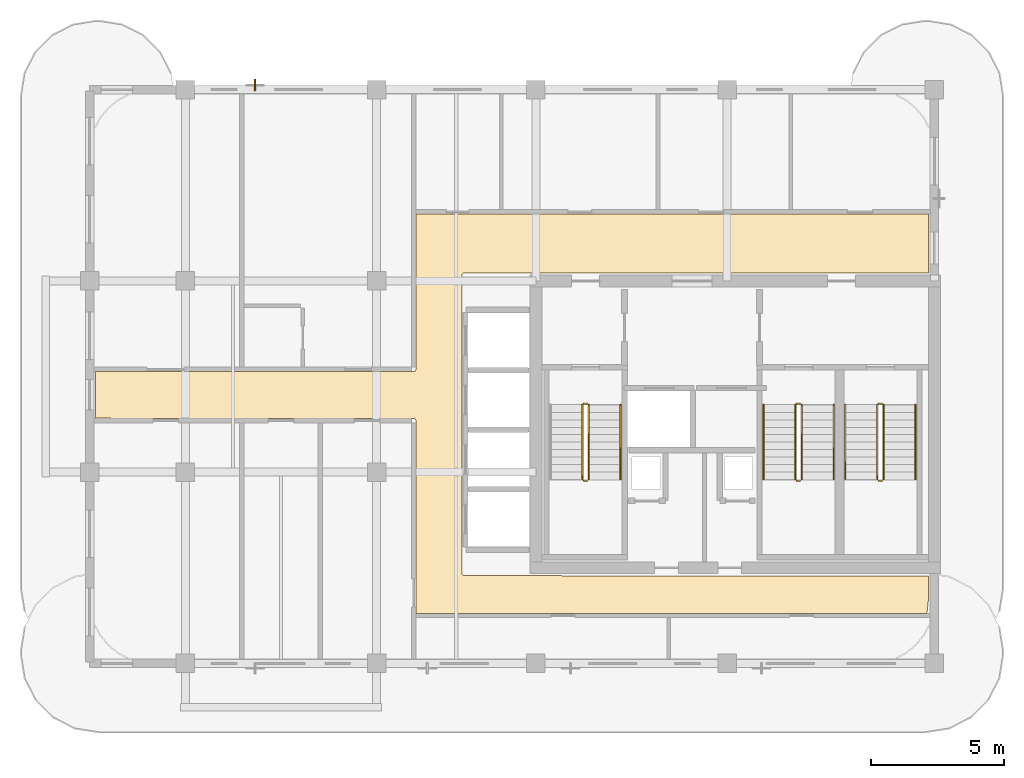
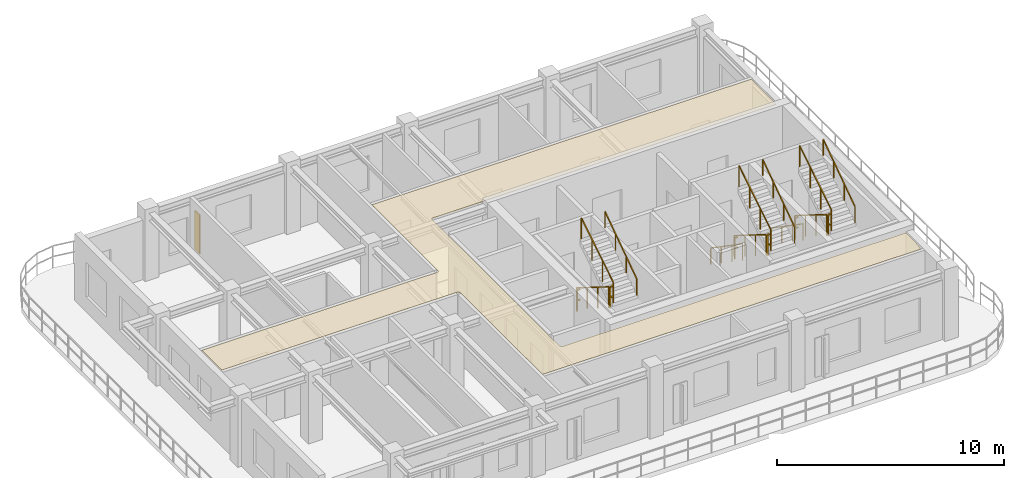
# One storey, part 7 of 8: 17 railings, 1 covering, 1 shading device.
"""IFC4 building model written with IfcOpenShell, lengths in metres."""

from ifc_helpers import new_model, si_unit, derived_unit, direction, frame, origin, origin_2d, place, context, subcontext, project, spatial, polyline, rectangle, outline, extrude, source, transform, mapped, material, layer, layer_set, type_object, type_shapes, element, save


model = new_model("IFC4")

# Units and contexts
model_context = context("Model", 3, precision=1e-05, world=origin(), true_north=direction((0.0, 1.0)))
body_context = subcontext(model_context, "Body", "Model", "MODEL_VIEW")
ifc_project = project(units=[si_unit("LENGTHUNIT", "METRE"), si_unit("AREAUNIT", "SQUARE_METRE"), si_unit("VOLUMEUNIT", "CUBIC_METRE"), si_unit("PLANEANGLEUNIT", "RADIAN"), si_unit("MASSUNIT", "GRAM", prefix="KILO"), si_unit("THERMODYNAMICTEMPERATUREUNIT", "KELVIN"), si_unit("POWERUNIT", "WATT"), derived_unit("THERMALTRANSMITTANCEUNIT", [(si_unit("POWERUNIT", "WATT"), 1), (si_unit("AREAUNIT", "SQUARE_METRE"), -1), (si_unit("THERMODYNAMICTEMPERATUREUNIT", "KELVIN"), -1)])], contexts=[model_context])

# Site, building, storey
site_placement = place(None, origin())
site = spatial("IfcSite", under=ifc_project, at=site_placement, CompositionType="ELEMENT")
building_placement = place(site_placement, origin())
building = spatial("IfcBuilding", under=site, at=building_placement, Name="Zahravan Archway Hotel and Residences", CompositionType="ELEMENT")
storey_placement = place(building_placement, frame((0.0, 0.0, 286.60009765625)))
storey = spatial("IfcBuildingStorey", under=building, at=storey_placement, Name="L72", CompositionType="ELEMENT", Elevation=286.60009765625)

# Covering
ifc_material_1 = material(Name="Perforated Acoustic Gypsum Ceiling")
ifc_layer_1 = layer(ifc_material_1, 0.02490234375, Name="Perforated Acoustic Gypsum Ceiling")
ifc_layer_set_1 = layer_set([ifc_layer_1], Name="Perforated Acoustic Gypsum Ceiling")
covering_type = type_object("IfcCoveringType", Name="COV-CEIL-ACST", PredefinedType="CEILING", material=ifc_layer_set_1)
covering_placement = place(storey_placement, frame((0.0, 0.0, 3.574951171875)))
element("IfcCovering", 1, at=covering_placement, inside=storey, type_object=covering_type, Name="L72 Acoustic Corridor Ceiling", PredefinedType="CEILING", context=body_context, shape_type="SweptSolid", body=[
    extrude(outline(polyline([(30.215576171875, 10.991455078125), (30.256591796875, 11.013427734375), (30.278564453125, 11.054443359375), (30.280029296875, 16.919921875), (49.580078125, 16.919921875), (49.580078125, 14.705078125), (32.10009765625, 14.705078125), (32.0556640625, 14.69140625), (32.026123046875, 14.655517578125), (32.02001953125, 3.375), (32.033447265625, 3.33056640625), (32.0693359375, 3.301025390625), (49.580078125, 3.294921875), (49.580078125, 2.410888671875), (49.537109375, 1.974853515625), (49.50830078125, 1.8798828125), (30.280029296875, 1.8798828125), (30.280029296875, 9.14990234375), (30.2666015625, 9.1943359375), (30.230712890625, 9.223876953125), (18.219970703125, 9.22998046875), (18.219970703125, 10.989990234375), (30.199951171875, 10.989990234375), (30.215576171875, 10.991455078125)])), origin(), (0.0, 0.0, 1.0), 0.02490234375),
])

# Railings
ifc_material_2 = material(Name="Painted Tubular Steel", Category="steel")
railing_type_1 = type_object("IfcRailingType", Name="RL-STG-1150", PredefinedType="GUARDRAIL", material=ifc_material_2)
railing_1_placement = place(storey_placement, frame((36.550048828125, 9.72998046875, 0.1748046875)))
element("IfcRailing", 2, at=railing_1_placement, inside=storey, type_object=railing_type_1, Name="L72 ST-A1 stair guard 1", PredefinedType="GUARDRAIL", context=body_context, shape_type="SweptSolid", body=[
    extrude(rectangle(XDim=0.048095703125, YDim=0.048095703125, at=origin_2d()), frame((0.0, 0.0, 1.1259765625), z_axis=(0.0, -0.848002457836, 0.529992293815), x_axis=(1.0, 0.0, 0.0)), (0.0, 0.0, 1.0), 3.302001953125),
    extrude(rectangle(XDim=0.0419921875, YDim=0.0419921875, at=origin_2d()), origin(), (0.0, 0.0, 1.0), 1.101806640625),
    extrude(rectangle(XDim=0.0419921875, YDim=0.0419921875, at=origin_2d()), frame((0.0, -0.933349609375, 0.583251953125)), (0.0, 0.0, 1.0), 1.101806640625),
    extrude(rectangle(XDim=0.0419921875, YDim=0.0419921875, at=origin_2d()), frame((0.0, -1.86669921875, 1.166748046875)), (0.0, 0.0, 1.0), 1.101806640625),
    extrude(rectangle(XDim=0.0419921875, YDim=0.0419921875, at=origin_2d()), frame((0.0, -2.800048828125, 1.75)), (0.0, 0.0, 1.0), 1.101806640625),
])
railing_2_placement = place(storey_placement, frame((36.60009765625, 6.8798828125, 1.9248046875)))
element("IfcRailing", 3, at=railing_2_placement, inside=storey, type_object=railing_type_1, Name="L72 ST-A1 stair guard 2", PredefinedType="GUARDRAIL", context=body_context, shape_type="SweptSolid", body=[
    extrude(rectangle(XDim=0.048095703125, YDim=0.048095703125, at=origin_2d()), frame((0.0, 0.0, 1.1259765625), z_axis=(1.0, 0.0, 0.0), x_axis=(0.0, 1.0, 0.0)), (0.0, 0.0, 1.0), 0.139892578125),
    extrude(rectangle(XDim=0.048095703125, YDim=0.048095703125, at=origin_2d()), frame((0.0, 0.0, 0.574951171875), z_axis=(1.0, 0.0, 0.0), x_axis=(0.0, 1.0, 0.0)), (0.0, 0.0, 1.0), 0.139892578125),
    extrude(rectangle(XDim=0.0419921875, YDim=0.0419921875, at=origin_2d()), origin(), (0.0, 0.0, 1.0), 1.101806640625),
])
railing_3_placement = place(storey_placement, frame((36.7900390625, 6.929931640625, 2.099853515625)))
element("IfcRailing", 4, at=railing_3_placement, inside=storey, type_object=railing_type_1, Name="L72 ST-A1 stair guard 3", PredefinedType="GUARDRAIL", context=body_context, shape_type="SweptSolid", body=[
    extrude(rectangle(XDim=0.048095703125, YDim=0.048095703125, at=origin_2d()), frame((0.0, 0.0, 1.1259765625), z_axis=(0.0, 0.848002457836, 0.529992293815), x_axis=(-1.0, 0.0, 0.0)), (0.0, 0.0, 1.0), 3.302001953125),
    extrude(rectangle(XDim=0.0419921875, YDim=0.0419921875, at=origin_2d()), origin(), (0.0, 0.0, 1.0), 1.101806640625),
    extrude(rectangle(XDim=0.0419921875, YDim=0.0419921875, at=origin_2d()), frame((0.0, 0.933349609375, 0.583251953125)), (0.0, 0.0, 1.0), 1.101806640625),
    extrude(rectangle(XDim=0.0419921875, YDim=0.0419921875, at=origin_2d()), frame((0.0, 1.86669921875, 1.166748046875)), (0.0, 0.0, 1.0), 1.101806640625),
    extrude(rectangle(XDim=0.0419921875, YDim=0.0419921875, at=origin_2d()), frame((0.0, 2.800048828125, 1.75)), (0.0, 0.0, 1.0), 1.101806640625),
])
railing_4_placement = place(storey_placement, frame((36.60009765625, 9.780029296875, 0.0)))
element("IfcRailing", 5, at=railing_4_placement, inside=storey, type_object=railing_type_1, Name="L72 ST-A1 stair guard 4", PredefinedType="GUARDRAIL", context=body_context, shape_type="SweptSolid", body=[
    extrude(rectangle(XDim=0.048095703125, YDim=0.048095703125, at=origin_2d()), frame((0.0, 0.0, 1.1259765625), z_axis=(1.0, 0.0, 0.0), x_axis=(0.0, 1.0, 0.0)), (0.0, 0.0, 1.0), 0.139892578125),
    extrude(rectangle(XDim=0.048095703125, YDim=0.048095703125, at=origin_2d()), frame((0.0, 0.0, 0.574951171875), z_axis=(1.0, 0.0, 0.0), x_axis=(0.0, 1.0, 0.0)), (0.0, 0.0, 1.0), 0.139892578125),
    extrude(rectangle(XDim=0.0419921875, YDim=0.0419921875, at=origin_2d()), origin(), (0.0, 0.0, 1.0), 1.101806640625),
])
railing_5_placement = place(storey_placement, frame((44.570068359375, 9.72998046875, 0.1748046875)))
element("IfcRailing", 6, at=railing_5_placement, inside=storey, type_object=railing_type_1, Name="L72 ST-A2 stair guard 1", PredefinedType="GUARDRAIL", context=body_context, shape_type="SweptSolid", body=[
    extrude(rectangle(XDim=0.048095703125, YDim=0.048095703125, at=origin_2d()), frame((0.0, 0.0, 1.1259765625), z_axis=(0.0, -0.848002457836, 0.529992293815), x_axis=(1.0, 0.0, 0.0)), (0.0, 0.0, 1.0), 3.302001953125),
    extrude(rectangle(XDim=0.0419921875, YDim=0.0419921875, at=origin_2d()), origin(), (0.0, 0.0, 1.0), 1.101806640625),
    extrude(rectangle(XDim=0.0419921875, YDim=0.0419921875, at=origin_2d()), frame((0.0, -0.933349609375, 0.583251953125)), (0.0, 0.0, 1.0), 1.101806640625),
    extrude(rectangle(XDim=0.0419921875, YDim=0.0419921875, at=origin_2d()), frame((0.0, -1.86669921875, 1.166748046875)), (0.0, 0.0, 1.0), 1.101806640625),
    extrude(rectangle(XDim=0.0419921875, YDim=0.0419921875, at=origin_2d()), frame((0.0, -2.800048828125, 1.75)), (0.0, 0.0, 1.0), 1.101806640625),
])
railing_6_placement = place(storey_placement, frame((44.6201171875, 6.8798828125, 1.9248046875)))
element("IfcRailing", 7, at=railing_6_placement, inside=storey, type_object=railing_type_1, Name="L72 ST-A2 stair guard 2", PredefinedType="GUARDRAIL", context=body_context, shape_type="SweptSolid", body=[
    extrude(rectangle(XDim=0.048095703125, YDim=0.048095703125, at=origin_2d()), frame((0.0, 0.0, 1.1259765625), z_axis=(1.0, 0.0, 0.0), x_axis=(0.0, 1.0, 0.0)), (0.0, 0.0, 1.0), 0.139892578125),
    extrude(rectangle(XDim=0.048095703125, YDim=0.048095703125, at=origin_2d()), frame((0.0, 0.0, 0.574951171875), z_axis=(1.0, 0.0, 0.0), x_axis=(0.0, 1.0, 0.0)), (0.0, 0.0, 1.0), 0.139892578125),
    extrude(rectangle(XDim=0.0419921875, YDim=0.0419921875, at=origin_2d()), origin(), (0.0, 0.0, 1.0), 1.101806640625),
])
railing_7_placement = place(storey_placement, frame((44.81005859375, 6.929931640625, 2.099853515625)))
element("IfcRailing", 8, at=railing_7_placement, inside=storey, type_object=railing_type_1, Name="L72 ST-A2 stair guard 3", PredefinedType="GUARDRAIL", context=body_context, shape_type="SweptSolid", body=[
    extrude(rectangle(XDim=0.048095703125, YDim=0.048095703125, at=origin_2d()), frame((0.0, 0.0, 1.1259765625), z_axis=(0.0, 0.848002457836, 0.529992293815), x_axis=(-1.0, 0.0, 0.0)), (0.0, 0.0, 1.0), 3.302001953125),
    extrude(rectangle(XDim=0.0419921875, YDim=0.0419921875, at=origin_2d()), origin(), (0.0, 0.0, 1.0), 1.101806640625),
    extrude(rectangle(XDim=0.0419921875, YDim=0.0419921875, at=origin_2d()), frame((0.0, 0.933349609375, 0.583251953125)), (0.0, 0.0, 1.0), 1.101806640625),
    extrude(rectangle(XDim=0.0419921875, YDim=0.0419921875, at=origin_2d()), frame((0.0, 1.86669921875, 1.166748046875)), (0.0, 0.0, 1.0), 1.101806640625),
    extrude(rectangle(XDim=0.0419921875, YDim=0.0419921875, at=origin_2d()), frame((0.0, 2.800048828125, 1.75)), (0.0, 0.0, 1.0), 1.101806640625),
])
railing_8_placement = place(storey_placement, frame((44.6201171875, 9.780029296875, 0.0)))
element("IfcRailing", 9, at=railing_8_placement, inside=storey, type_object=railing_type_1, Name="L72 ST-A2 stair guard 4", PredefinedType="GUARDRAIL", context=body_context, shape_type="SweptSolid", body=[
    extrude(rectangle(XDim=0.048095703125, YDim=0.048095703125, at=origin_2d()), frame((0.0, 0.0, 1.1259765625), z_axis=(1.0, 0.0, 0.0), x_axis=(0.0, 1.0, 0.0)), (0.0, 0.0, 1.0), 0.139892578125),
    extrude(rectangle(XDim=0.048095703125, YDim=0.048095703125, at=origin_2d()), frame((0.0, 0.0, 0.574951171875), z_axis=(1.0, 0.0, 0.0), x_axis=(0.0, 1.0, 0.0)), (0.0, 0.0, 1.0), 0.139892578125),
    extrude(rectangle(XDim=0.0419921875, YDim=0.0419921875, at=origin_2d()), origin(), (0.0, 0.0, 1.0), 1.101806640625),
])
railing_9_placement = place(storey_placement, frame((47.64990234375, 9.72998046875, 0.1748046875)))
element("IfcRailing", 10, at=railing_9_placement, inside=storey, type_object=railing_type_1, Name="L72 ST-A3 stair guard 1", PredefinedType="GUARDRAIL", context=body_context, shape_type="SweptSolid", body=[
    extrude(rectangle(XDim=0.048095703125, YDim=0.048095703125, at=origin_2d()), frame((0.0, 0.0, 1.1259765625), z_axis=(0.0, -0.848002457836, 0.529992293815), x_axis=(1.0, 0.0, 0.0)), (0.0, 0.0, 1.0), 3.302001953125),
    extrude(rectangle(XDim=0.0419921875, YDim=0.0419921875, at=origin_2d()), origin(), (0.0, 0.0, 1.0), 1.101806640625),
    extrude(rectangle(XDim=0.0419921875, YDim=0.0419921875, at=origin_2d()), frame((0.0, -0.933349609375, 0.583251953125)), (0.0, 0.0, 1.0), 1.101806640625),
    extrude(rectangle(XDim=0.0419921875, YDim=0.0419921875, at=origin_2d()), frame((0.0, -1.86669921875, 1.166748046875)), (0.0, 0.0, 1.0), 1.101806640625),
    extrude(rectangle(XDim=0.0419921875, YDim=0.0419921875, at=origin_2d()), frame((0.0, -2.800048828125, 1.75)), (0.0, 0.0, 1.0), 1.101806640625),
])
railing_10_placement = place(storey_placement, frame((47.699951171875, 6.8798828125, 1.9248046875)))
element("IfcRailing", 11, at=railing_10_placement, inside=storey, type_object=railing_type_1, Name="L72 ST-A3 stair guard 2", PredefinedType="GUARDRAIL", context=body_context, shape_type="SweptSolid", body=[
    extrude(rectangle(XDim=0.048095703125, YDim=0.048095703125, at=origin_2d()), frame((0.0, 0.0, 1.1259765625), z_axis=(1.0, 0.0, 0.0), x_axis=(0.0, 1.0, 0.0)), (0.0, 0.0, 1.0), 0.14013671875),
    extrude(rectangle(XDim=0.048095703125, YDim=0.048095703125, at=origin_2d()), frame((0.0, 0.0, 0.574951171875), z_axis=(1.0, 0.0, 0.0), x_axis=(0.0, 1.0, 0.0)), (0.0, 0.0, 1.0), 0.14013671875),
    extrude(rectangle(XDim=0.0419921875, YDim=0.0419921875, at=origin_2d()), origin(), (0.0, 0.0, 1.0), 1.101806640625),
])
railing_11_placement = place(storey_placement, frame((47.889892578125, 6.929931640625, 2.099853515625)))
element("IfcRailing", 12, at=railing_11_placement, inside=storey, type_object=railing_type_1, Name="L72 ST-A3 stair guard 3", PredefinedType="GUARDRAIL", context=body_context, shape_type="SweptSolid", body=[
    extrude(rectangle(XDim=0.048095703125, YDim=0.048095703125, at=origin_2d()), frame((0.0, 0.0, 1.1259765625), z_axis=(0.0, 0.848002457836, 0.529992293815), x_axis=(-1.0, 0.0, 0.0)), (0.0, 0.0, 1.0), 3.302001953125),
    extrude(rectangle(XDim=0.0419921875, YDim=0.0419921875, at=origin_2d()), origin(), (0.0, 0.0, 1.0), 1.101806640625),
    extrude(rectangle(XDim=0.0419921875, YDim=0.0419921875, at=origin_2d()), frame((0.0, 0.933349609375, 0.583251953125)), (0.0, 0.0, 1.0), 1.101806640625),
    extrude(rectangle(XDim=0.0419921875, YDim=0.0419921875, at=origin_2d()), frame((0.0, 1.86669921875, 1.166748046875)), (0.0, 0.0, 1.0), 1.101806640625),
    extrude(rectangle(XDim=0.0419921875, YDim=0.0419921875, at=origin_2d()), frame((0.0, 2.800048828125, 1.75)), (0.0, 0.0, 1.0), 1.101806640625),
])
railing_12_placement = place(storey_placement, frame((47.699951171875, 9.780029296875, 0.0)))
element("IfcRailing", 13, at=railing_12_placement, inside=storey, type_object=railing_type_1, Name="L72 ST-A3 stair guard 4", PredefinedType="GUARDRAIL", context=body_context, shape_type="SweptSolid", body=[
    extrude(rectangle(XDim=0.048095703125, YDim=0.048095703125, at=origin_2d()), frame((0.0, 0.0, 1.1259765625), z_axis=(1.0, 0.0, 0.0), x_axis=(0.0, 1.0, 0.0)), (0.0, 0.0, 1.0), 0.14013671875),
    extrude(rectangle(XDim=0.048095703125, YDim=0.048095703125, at=origin_2d()), frame((0.0, 0.0, 0.574951171875), z_axis=(1.0, 0.0, 0.0), x_axis=(0.0, 1.0, 0.0)), (0.0, 0.0, 1.0), 0.14013671875),
    extrude(rectangle(XDim=0.0419921875, YDim=0.0419921875, at=origin_2d()), origin(), (0.0, 0.0, 1.0), 1.101806640625),
])
ifc_material_3 = material(Name="Brushed Stainless Steel", Category="steel")
railing_type_2 = type_object("IfcRailingType", Name="RL-STH-900", PredefinedType="HANDRAIL", material=ifc_material_3)
railing_13_placement = place(storey_placement, frame((37.989990234375, 6.929931640625, 2.099853515625)))
element("IfcRailing", 14, at=railing_13_placement, inside=storey, type_object=railing_type_2, Name="L72 ST-A1 stair handrail 2", PredefinedType="HANDRAIL", context=body_context, shape_type="SweptSolid", body=[
    extrude(rectangle(XDim=0.048095703125, YDim=0.048095703125, at=origin_2d()), frame((0.0, 0.0, 0.8759765625), z_axis=(0.0, 0.824039827795, 0.566531872191), x_axis=(-1.0, 0.0, 0.0)), (0.0, 0.0, 1.0), 3.39794921875),
    extrude(rectangle(XDim=0.0419921875, YDim=0.0419921875, at=origin_2d()), origin(), (0.0, 0.0, 1.0), 0.851806640625),
    extrude(rectangle(XDim=0.0419921875, YDim=0.0419921875, at=origin_2d()), frame((0.0, 0.933349609375, 0.6416015625)), (0.0, 0.0, 1.0), 0.851806640625),
    extrude(rectangle(XDim=0.0419921875, YDim=0.0419921875, at=origin_2d()), frame((0.0, 1.86669921875, 1.283447265625)), (0.0, 0.0, 1.0), 0.851806640625),
    extrude(rectangle(XDim=0.0419921875, YDim=0.0419921875, at=origin_2d()), frame((0.0, 2.800048828125, 1.925048828125)), (0.0, 0.0, 1.0), 0.851806640625),
])
railing_14_placement = place(storey_placement, frame((43.3701171875, 9.72998046875, 0.1748046875)))
element("IfcRailing", 15, at=railing_14_placement, inside=storey, type_object=railing_type_2, Name="L72 ST-A2 stair handrail 1", PredefinedType="HANDRAIL", context=body_context, shape_type="SweptSolid", body=[
    extrude(rectangle(XDim=0.048095703125, YDim=0.048095703125, at=origin_2d()), frame((0.0, 0.0, 0.8759765625), z_axis=(0.0, -0.824039827795, 0.566531872191), x_axis=(1.0, 0.0, 0.0)), (0.0, 0.0, 1.0), 3.39794921875),
    extrude(rectangle(XDim=0.0419921875, YDim=0.0419921875, at=origin_2d()), origin(), (0.0, 0.0, 1.0), 0.851806640625),
    extrude(rectangle(XDim=0.0419921875, YDim=0.0419921875, at=origin_2d()), frame((0.0, -0.933349609375, 0.6416015625)), (0.0, 0.0, 1.0), 0.851806640625),
    extrude(rectangle(XDim=0.0419921875, YDim=0.0419921875, at=origin_2d()), frame((0.0, -1.86669921875, 1.283447265625)), (0.0, 0.0, 1.0), 0.851806640625),
    extrude(rectangle(XDim=0.0419921875, YDim=0.0419921875, at=origin_2d()), frame((0.0, -2.800048828125, 1.925048828125)), (0.0, 0.0, 1.0), 0.851806640625),
])
railing_15_placement = place(storey_placement, frame((46.010009765625, 6.929931640625, 2.099853515625)))
element("IfcRailing", 16, at=railing_15_placement, inside=storey, type_object=railing_type_2, Name="L72 ST-A2 stair handrail 2", PredefinedType="HANDRAIL", context=body_context, shape_type="SweptSolid", body=[
    extrude(rectangle(XDim=0.048095703125, YDim=0.048095703125, at=origin_2d()), frame((0.0, 0.0, 0.8759765625), z_axis=(0.0, 0.824039827795, 0.566531872191), x_axis=(-1.0, 0.0, 0.0)), (0.0, 0.0, 1.0), 3.39794921875),
    extrude(rectangle(XDim=0.0419921875, YDim=0.0419921875, at=origin_2d()), origin(), (0.0, 0.0, 1.0), 0.851806640625),
    extrude(rectangle(XDim=0.0419921875, YDim=0.0419921875, at=origin_2d()), frame((0.0, 0.933349609375, 0.6416015625)), (0.0, 0.0, 1.0), 0.851806640625),
    extrude(rectangle(XDim=0.0419921875, YDim=0.0419921875, at=origin_2d()), frame((0.0, 1.86669921875, 1.283447265625)), (0.0, 0.0, 1.0), 0.851806640625),
    extrude(rectangle(XDim=0.0419921875, YDim=0.0419921875, at=origin_2d()), frame((0.0, 2.800048828125, 1.925048828125)), (0.0, 0.0, 1.0), 0.851806640625),
])
railing_16_placement = place(storey_placement, frame((46.449951171875, 9.72998046875, 0.1748046875)))
element("IfcRailing", 17, at=railing_16_placement, inside=storey, type_object=railing_type_2, Name="L72 ST-A3 stair handrail 1", PredefinedType="HANDRAIL", context=body_context, shape_type="SweptSolid", body=[
    extrude(rectangle(XDim=0.048095703125, YDim=0.048095703125, at=origin_2d()), frame((0.0, 0.0, 0.8759765625), z_axis=(0.0, -0.824039827795, 0.566531872191), x_axis=(1.0, 0.0, 0.0)), (0.0, 0.0, 1.0), 3.39794921875),
    extrude(rectangle(XDim=0.0419921875, YDim=0.0419921875, at=origin_2d()), origin(), (0.0, 0.0, 1.0), 0.851806640625),
    extrude(rectangle(XDim=0.0419921875, YDim=0.0419921875, at=origin_2d()), frame((0.0, -0.933349609375, 0.6416015625)), (0.0, 0.0, 1.0), 0.851806640625),
    extrude(rectangle(XDim=0.0419921875, YDim=0.0419921875, at=origin_2d()), frame((0.0, -1.86669921875, 1.283447265625)), (0.0, 0.0, 1.0), 0.851806640625),
    extrude(rectangle(XDim=0.0419921875, YDim=0.0419921875, at=origin_2d()), frame((0.0, -2.800048828125, 1.925048828125)), (0.0, 0.0, 1.0), 0.851806640625),
])
railing_17_placement = place(storey_placement, frame((49.090087890625, 6.929931640625, 2.099853515625)))
element("IfcRailing", 18, at=railing_17_placement, inside=storey, type_object=railing_type_2, Name="L72 ST-A3 stair handrail 2", PredefinedType="HANDRAIL", context=body_context, shape_type="SweptSolid", body=[
    extrude(rectangle(XDim=0.048095703125, YDim=0.048095703125, at=origin_2d()), frame((0.0, 0.0, 0.8759765625), z_axis=(0.0, 0.824039827795, 0.566531872191), x_axis=(-1.0, 0.0, 0.0)), (0.0, 0.0, 1.0), 3.39794921875),
    extrude(rectangle(XDim=0.0419921875, YDim=0.0419921875, at=origin_2d()), origin(), (0.0, 0.0, 1.0), 0.851806640625),
    extrude(rectangle(XDim=0.0419921875, YDim=0.0419921875, at=origin_2d()), frame((0.0, 0.933349609375, 0.6416015625)), (0.0, 0.0, 1.0), 0.851806640625),
    extrude(rectangle(XDim=0.0419921875, YDim=0.0419921875, at=origin_2d()), frame((0.0, 1.86669921875, 1.283447265625)), (0.0, 0.0, 1.0), 0.851806640625),
    extrude(rectangle(XDim=0.0419921875, YDim=0.0419921875, at=origin_2d()), frame((0.0, 2.800048828125, 1.925048828125)), (0.0, 0.0, 1.0), 0.851806640625),
])

# Shading device
ifc_material_4 = material(Name="Terracotta & Bronze Solar Brise-Soleil", Category="masonry")
ifc_layer_2 = layer(ifc_material_4, 0.06005859375, Name="Terracotta & Bronze Solar Brise-Soleil", Category="masonry")
ifc_layer_set_2 = layer_set([ifc_layer_2], Name="Terracotta & Bronze Solar Brise-Soleil")
shading_device_type = type_object("IfcShadingDeviceType", Name="SHD-MASH-FIN", PredefinedType="JALOUSIE", material=ifc_layer_set_2)
shared_shape = source(origin(), body_context, "Body", "SweptSolid", [
    extrude(rectangle(XDim=0.06005859375, YDim=0.419921875, at=origin_2d()), origin(), (0.0, 0.0, 1.0), 2.10009765625),
])
type_shapes(shading_device_type, [shared_shape])
shading_device_placement = place(storey_placement, frame((24.22802734375, 21.778076171875, 0.249755859375), z_axis=(0.0, 0.0, 1.0), x_axis=(1.0, 0.0, 0.0)))
element("IfcShadingDevice", 19, at=shading_device_placement, inside=storey, type_object=shading_device_type, Name="L72 Solar Mashrabiya Fin 06", PredefinedType="JALOUSIE", context=body_context, shape_type="MappedRepresentation", body=[
    mapped(shared_shape, transform((0.0, 0.0, 0.0), scale=1.0)),
])

save(model, "model.ifc")
